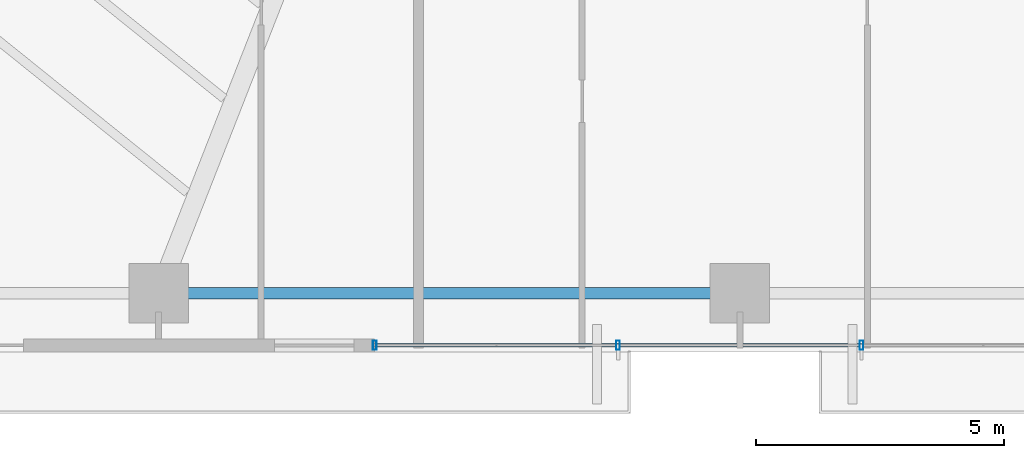
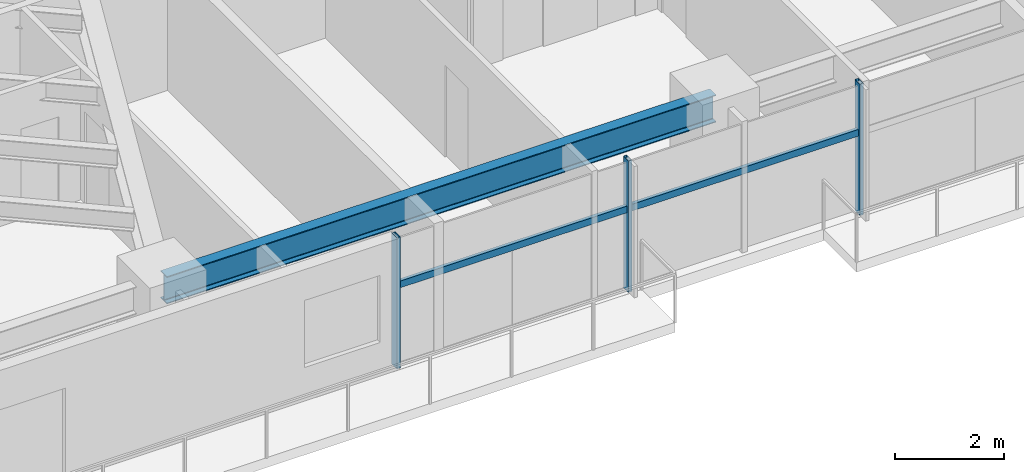
# One storey, part 6 of 25: 5 members, 1 beam, 1 element without a shape of its own.
"""IFC4 building model written with IfcOpenShell, lengths in metres."""

from ifc_helpers import new_model, si_unit, direction, frame, origin, origin_2d, place, context, subcontext, project, spatial, hollow_rectangle, i_section, extrude, source, transform, mapped, material, material_profile, profile_set, type_object, type_shapes, element, aggregate, save


model = new_model("IFC4")

# Units and contexts
model_context = context("Model", 3, precision=1e-05, world=origin(), true_north=direction((0.0, 1.0)))
body_context = subcontext(model_context, "Body", "Model", "MODEL_VIEW")
ifc_project = project(units=[si_unit("LENGTHUNIT", "METRE"), si_unit("AREAUNIT", "SQUARE_METRE"), si_unit("VOLUMEUNIT", "CUBIC_METRE"), si_unit("PLANEANGLEUNIT", "RADIAN"), si_unit("MASSUNIT", "GRAM", prefix="KILO")], contexts=[model_context])

# Site, building, storey
site_placement = place(None, origin())
site = spatial("IfcSite", under=ifc_project, at=site_placement, CompositionType="ELEMENT")
building_placement = place(site_placement, origin())
building = spatial("IfcBuilding", under=site, at=building_placement, Name="Astriad Promenade Condominiums", CompositionType="ELEMENT")
storey_placement = place(building_placement, frame((0.0, 0.0, 48.60009765625)))
storey = spatial("IfcBuildingStorey", under=building, at=storey_placement, Name="L13", CompositionType="ELEMENT", Elevation=48.60009765625)

# Beam
ifc_material_1 = material(Name="Steel ASTM A992 Grade 50", Category="steel")
ifc_material_profile_1 = material_profile(ifc_material_1, i_section(OverallWidth=0.22900390625, OverallDepth=0.612060546875, WebThickness=0.011962890625, FlangeThickness=0.01953125, FilletRadius=0.017822265625, at=origin_2d()), Name="W24X84")
ifc_profile_set_1 = profile_set([ifc_material_profile_1], Name="Steel ASTM A992 Grade 50")
beam_type = type_object("IfcBeamType", Name="STEEL SPANDREL BEAM W24X84", PredefinedType="SPANDREL", material=ifc_profile_set_1)
shared_shape_1 = source(origin(), body_context, "Body", "SweptSolid", [
    extrude(i_section(OverallWidth=0.22900390625, OverallDepth=0.612060546875, WebThickness=0.011962890625, FlangeThickness=0.01953125, FilletRadius=0.017822265625, at=origin_2d()), origin(), (0.0, 0.0, 1.0), 11.6201171875),
])
type_shapes(beam_type, [shared_shape_1])
beam_placement = place(storey_placement, frame((21.139892578125, 3.8798828125, 2.6337890625), z_axis=(1.0, 0.0, 0.0), x_axis=(0.0, 1.0, 0.0)))
element("IfcBeam", 1, at=beam_placement, inside=storey, type_object=beam_type, Name="Perimeter Spandrel Beam SP-S2-L13", PredefinedType="SPANDREL", context=body_context, shape_type="MappedRepresentation", body=[
    mapped(shared_shape_1, transform((0.0, 0.0, 0.0), scale=1.0)),
])

# Curtain wall, members
ifc_material_2 = material(Name="Anodised aluminium Black Dark Glass Unitised", Category="aluminium")
curtain_wall_type = type_object("IfcCurtainWallType", Name="CW-B1-DARK", PredefinedType="USERDEFINED", material=ifc_material_2)
curtain_wall_placement = place(storey_placement, origin())
curtain_wall = element("IfcCurtainWall", 2, at=curtain_wall_placement, inside=storey, type_object=curtain_wall_type, Name="CW-L13-S", ObjectType="UNITISED_CURTAIN_WALL", PredefinedType="USERDEFINED")
ifc_material_3 = material(Name="Anodised aluminium 6063-T6 Black", Category="aluminium")
ifc_material_profile_2 = material_profile(ifc_material_3, hollow_rectangle(XDim=0.074951171875, YDim=0.18505859375, WallThickness=0.00439453125, at=origin_2d()), Name="ALU-MUL-75X185")
ifc_profile_set_2 = profile_set([ifc_material_profile_2], Name="Anodised aluminium 6063-T6 Black")
member_type_1 = type_object("IfcMemberType", Name="MUL-ALU-MUL-75X185", PredefinedType="MULLION", material=ifc_profile_set_2)
shared_shape_2 = source(origin(), body_context, "Body", "SweptSolid", [
    extrude(hollow_rectangle(XDim=0.074951171875, YDim=0.18505859375, WallThickness=0.00439453125, at=origin_2d()), origin(), (0.0, 0.0, 1.0), 2.93994140625),
])
type_shapes(member_type_1, [shared_shape_2])
member_1_placement = place(storey_placement, frame((35.25, 2.830078125, 0.0), z_axis=(0.0, 0.0, 1.0), x_axis=(1.0, 0.0, 0.0)))
member_1 = element("IfcMember", 3, at=member_1_placement, type_object=member_type_1, Name="CW-L13-S-MUL-01", PredefinedType="MULLION", context=body_context, shape_type="MappedRepresentation", body=[
    mapped(shared_shape_2, transform((0.0, 0.0, 0.0), scale=1.0)),
])
member_2_placement = place(storey_placement, frame((30.35009765625, 2.830078125, 0.0), z_axis=(0.0, 0.0, 1.0), x_axis=(1.0, 0.0, 0.0)))
member_2 = element("IfcMember", 4, at=member_2_placement, type_object=member_type_1, Name="CW-L13-S-MUL-02", PredefinedType="MULLION", context=body_context, shape_type="MappedRepresentation", body=[
    mapped(shared_shape_2, transform((0.0, 0.0, 0.0), scale=1.0)),
])
member_3_placement = place(storey_placement, frame((25.449951171875, 2.830078125, 0.0), z_axis=(0.0, 0.0, 1.0), x_axis=(1.0, 0.0, 0.0)))
member_3 = element("IfcMember", 5, at=member_3_placement, type_object=member_type_1, Name="CW-L13-S-MUL-03", PredefinedType="MULLION", context=body_context, shape_type="MappedRepresentation", body=[
    mapped(shared_shape_2, transform((0.0, 0.0, 0.0), scale=1.0)),
])
ifc_material_profile_3 = material_profile(ifc_material_3, hollow_rectangle(XDim=0.074951171875, YDim=0.14990234375, WallThickness=0.004150390625, at=origin_2d()), Name="ALU-TRN-75X150")
ifc_profile_set_3 = profile_set([ifc_material_profile_3], Name="Anodised aluminium 6063-T6 Black")
member_type_2 = type_object("IfcMemberType", Name="TRN-ALU-TRN-75X150", PredefinedType="USERDEFINED", material=ifc_profile_set_3)
shared_shape_3 = source(origin(), body_context, "Body", "SweptSolid", [
    extrude(hollow_rectangle(XDim=0.074951171875, YDim=0.14990234375, WallThickness=0.004150390625, at=origin_2d()), origin(), (0.0, 0.0, 1.0), 4.900146484375),
])
member_4_placement = place(storey_placement, frame((30.35009765625, 2.830078125, 1.82275390625), z_axis=(-1.0, 0.0, 0.0), x_axis=(0.0, -1.0, 0.0)))
member_4 = element("IfcMember", 6, at=member_4_placement, type_object=member_type_2, Name="CW-L13-S-TRN-02-0", ObjectType="TRANSOM", PredefinedType="USERDEFINED", context=body_context, shape_type="MappedRepresentation", body=[
    mapped(shared_shape_3, transform((0.0, 0.0, 0.0), scale=1.0)),
])
shared_shape_4 = source(origin(), body_context, "Body", "SweptSolid", [
    extrude(hollow_rectangle(XDim=0.074951171875, YDim=0.14990234375, WallThickness=0.004150390625, at=origin_2d()), origin(), (0.0, 0.0, 1.0), 4.89990234375),
])
type_shapes(member_type_2, [shared_shape_3, shared_shape_4])
member_5_placement = place(storey_placement, frame((35.25, 2.830078125, 1.82275390625), z_axis=(-1.0, 0.0, 0.0), x_axis=(0.0, -1.0, 0.0)))
member_5 = element("IfcMember", 7, at=member_5_placement, type_object=member_type_2, Name="CW-L13-S-TRN-01-0", ObjectType="TRANSOM", PredefinedType="USERDEFINED", context=body_context, shape_type="MappedRepresentation", body=[
    mapped(shared_shape_4, transform((0.0, 0.0, 0.0), scale=1.0)),
])
aggregate(curtain_wall, [member_1, member_2, member_3, member_5, member_4])

save(model, "model.ifc")
